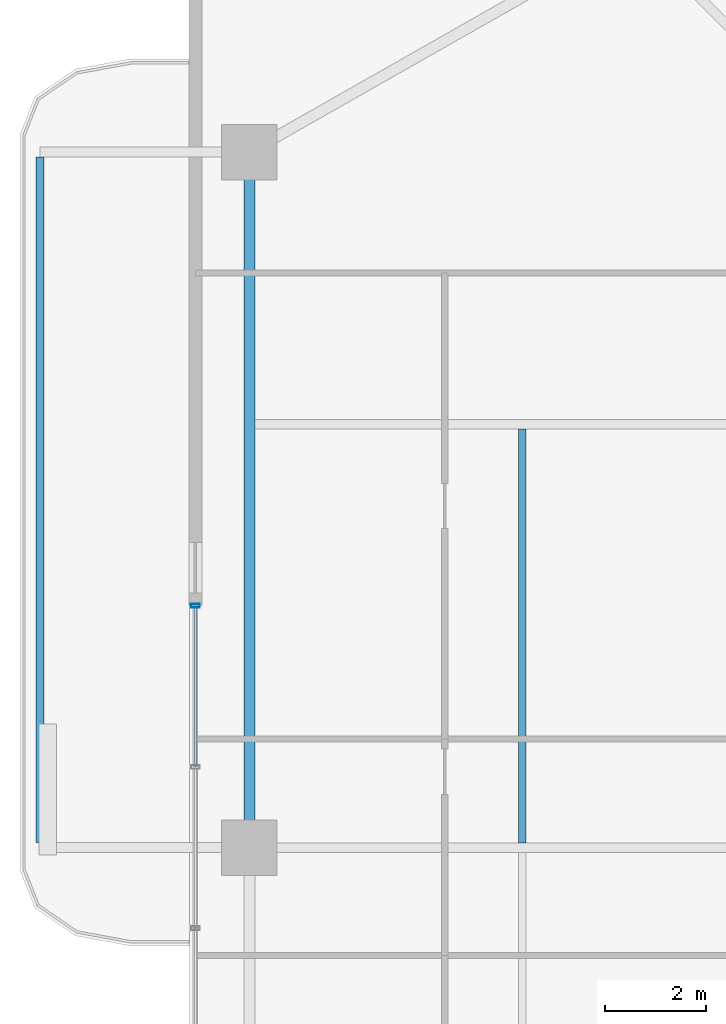
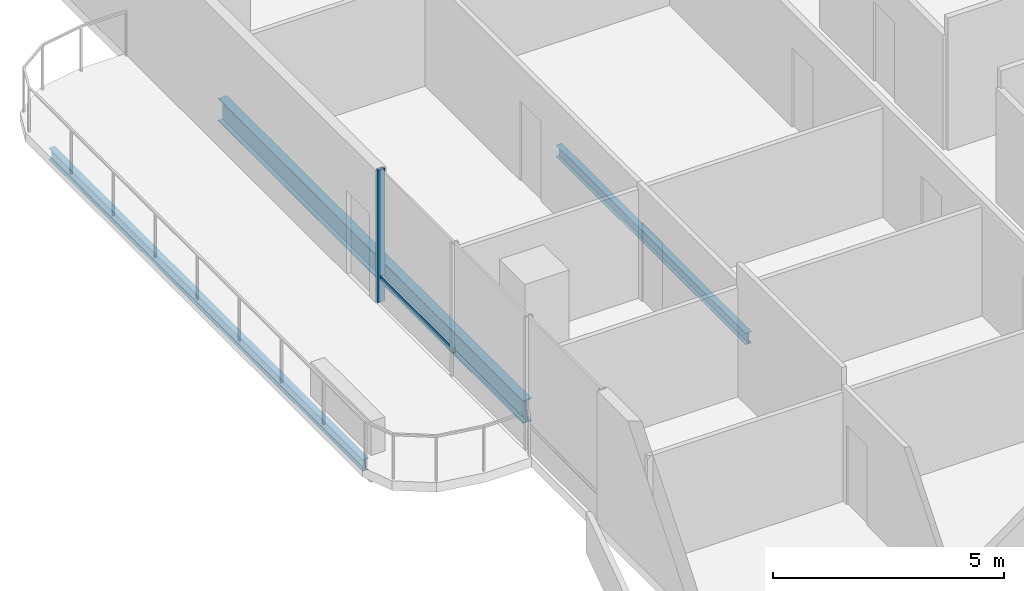
# One storey, part 9 of 23: 3 beams, 2 members, 1 element without a shape of its own.
"""IFC4 building model written with IfcOpenShell, lengths in metres."""

from ifc_helpers import new_model, si_unit, direction, frame, origin, origin_2d, place, context, subcontext, project, spatial, hollow_rectangle, i_section, extrude, material, layer, layer_set, material_profile, profile_set, type_object, element, aggregate, save


model = new_model("IFC4")

# Units and contexts
model_context = context("Model", 3, precision=1e-05, world=origin(), true_north=direction((0.0, 1.0)))
body_context = subcontext(model_context, "Body", "Model", "MODEL_VIEW")
ifc_project = project(units=[si_unit("LENGTHUNIT", "METRE"), si_unit("AREAUNIT", "SQUARE_METRE"), si_unit("VOLUMEUNIT", "CUBIC_METRE"), si_unit("PLANEANGLEUNIT", "RADIAN"), si_unit("MASSUNIT", "GRAM", prefix="KILO")], contexts=[model_context])

# Site, building, storey
site_placement = place(None, origin())
site = spatial("IfcSite", under=ifc_project, at=site_placement, CompositionType="ELEMENT")
building_placement = place(site_placement, origin())
building = spatial("IfcBuilding", under=site, at=building_placement, Name="Belovzor Exchange Tower", CompositionType="ELEMENT")
storey_placement = place(building_placement, frame((0.0, 0.0, 229.949951171875)))
storey = spatial("IfcBuildingStorey", under=building, at=storey_placement, Name="L57", CompositionType="ELEMENT", Elevation=229.949951171875)

# Beams
ifc_material_1 = material(Name="Steel S355", Category="steel")
ifc_material_profile_1 = material_profile(ifc_material_1, i_section(OverallWidth=0.14990234375, OverallDepth=0.300048828125, WebThickness=0.007080078125, FlangeThickness=0.0107421875, at=origin_2d()))
ifc_profile_set_1 = profile_set([ifc_material_profile_1], Name="Steel S355")
beam_type_1 = type_object("IfcBeamType", Name="Planted Balcony Fascia Edge Beam IPE 300", PredefinedType="BEAM", material=ifc_profile_set_1)
beam_1_placement = place(storey_placement, frame((-1.153076171875, 42.5, -0.39990234375), z_axis=(0.0, -1.0, 0.0), x_axis=(1.0, 0.0, 0.0)))
element("IfcBeam", 1, at=beam_1_placement, inside=storey, type_object=beam_type_1, Name="BC-300 Planted Balcony Fascia Edge Beam IPE 300", PredefinedType="BEAM", context=body_context, shape_type="SweptSolid", body=[
    extrude(i_section(OverallWidth=0.14990234375, OverallDepth=0.300048828125, WebThickness=0.007080078125, FlangeThickness=0.0107421875, at=origin_2d()), origin(), (0.0, 0.0, 1.0), 13.60009765625),
])
ifc_material_2 = material(Name="Steel S355", Category="steel")
ifc_material_profile_2 = material_profile(ifc_material_2, i_section(OverallWidth=0.14990234375, OverallDepth=0.300048828125, WebThickness=0.007080078125, FlangeThickness=0.0107421875, at=origin_2d()))
ifc_profile_set_2 = profile_set([ifc_material_profile_2], Name="Steel S355")
beam_type_2 = type_object("IfcBeamType", Name="Secondary Trim Floor Joist IPE 300", PredefinedType="BEAM", material=ifc_profile_set_2)
beam_2_placement = place(storey_placement, frame((8.4130859375, 28.89501953125, -0.39990234375), z_axis=(0.0, 1.0, 0.0), x_axis=(-1.0, 0.0, 0.0)))
element("IfcBeam", 2, at=beam_2_placement, inside=storey, type_object=beam_type_2, Name="FJ-300 Secondary Trim Floor Joist IPE 300", PredefinedType="BEAM", context=body_context, shape_type="SweptSolid", body=[
    extrude(i_section(OverallWidth=0.14990234375, OverallDepth=0.300048828125, WebThickness=0.007080078125, FlangeThickness=0.0107421875, at=origin_2d()), origin(), (0.0, 0.0, 1.0), 8.2099609375),
])

# Curtain wall, members
ifc_material_3 = material(Name="Anodised Aluminium Framing", Category="aluminium")
ifc_layer = layer(ifc_material_3, 0.179931640625)
ifc_layer_set = layer_set([ifc_layer], Name="Anodised Aluminium Framing")
curtain_wall_type = type_object("IfcCurtainWallType", Name="Recessed Loggia Low-Iron Triple-Glazed Curtain Wall", PredefinedType="NOTDEFINED", material=ifc_layer_set)
curtain_wall_placement = place(storey_placement, origin())
curtain_wall = element("IfcCurtainWall", 3, at=curtain_wall_placement, inside=storey, type_object=curtain_wall_type, Name="CW3 Recessed Loggia Low-Iron Triple-Glazed Curtain Wall L57", PredefinedType="NOTDEFINED")
ifc_material_4 = material(Name="Steel S355", Category="steel")
ifc_material_profile_3 = material_profile(ifc_material_4, hollow_rectangle(XDim=0.074951171875, YDim=0.179931640625, WallThickness=0.0048828125, at=origin_2d()))
ifc_profile_set_3 = profile_set([ifc_material_profile_3], Name="Steel S355")
member_type_1 = type_object("IfcMemberType", Name="Thermally Broken Curtain Wall Mullion 180x75", PredefinedType="MULLION", material=ifc_profile_set_3)
member_1_placement = place(storey_placement, frame((1.929931640625, 33.60009765625, 0.0), z_axis=(0.0, 0.0, 1.0), x_axis=(0.0, 1.0, 0.0)))
member_1 = element("IfcMember", 4, at=member_1_placement, type_object=member_type_1, Name="CW-M180 Curtain Wall Mullion 4", PredefinedType="MULLION", context=body_context, shape_type="SweptSolid", body=[
    extrude(hollow_rectangle(XDim=0.074951171875, YDim=0.179931640625, WallThickness=0.0048828125, at=origin_2d()), origin(), (0.0, 0.0, 1.0), 3.5),
])
ifc_material_5 = material(Name="Steel S355", Category="steel")
ifc_material_profile_4 = material_profile(ifc_material_5, hollow_rectangle(XDim=0.06005859375, YDim=0.14990234375, WallThickness=0.00390625, at=origin_2d()))
ifc_profile_set_4 = profile_set([ifc_material_profile_4], Name="Steel S355")
member_type_2 = type_object("IfcMemberType", Name="Thermally Broken Curtain Wall Transom 150x60", PredefinedType="USERDEFINED", material=ifc_profile_set_4)
member_2_placement = place(storey_placement, frame((1.929931640625, 30.407958984375, 0.630126953125), z_axis=(0.0, 1.0, 0.0), x_axis=(-1.0, 0.0, 0.0)))
member_2 = element("IfcMember", 5, at=member_2_placement, type_object=member_type_2, Name="CW-T150 Curtain Wall Transom 3", ObjectType="TRANSOM", PredefinedType="USERDEFINED", context=body_context, shape_type="SweptSolid", body=[
    extrude(hollow_rectangle(XDim=0.06005859375, YDim=0.14990234375, WallThickness=0.00390625, at=origin_2d()), origin(), (0.0, 0.0, 1.0), 3.18408203125),
])
aggregate(curtain_wall, [member_1, member_2])

# Beam
ifc_material_6 = material(Name="Steel S355", Category="steel")
ifc_material_profile_5 = material_profile(ifc_material_6, i_section(OverallWidth=0.219970703125, OverallDepth=0.60009765625, WebThickness=0.011962890625, FlangeThickness=0.01904296875, at=origin_2d()))
ifc_profile_set_5 = profile_set([ifc_material_profile_5], Name="Steel S355")
beam_type_3 = type_object("IfcBeamType", Name="Zone 4 Flare Primary Girder IPE 600", PredefinedType="BEAM", material=ifc_profile_set_5)
beam_3_placement = place(storey_placement, frame((3.0, 42.297119140625, -0.550048828125), z_axis=(0.0, -1.0, 0.0), x_axis=(1.0, 0.0, 0.0)))
element("IfcBeam", 6, at=beam_3_placement, inside=storey, type_object=beam_type_3, Name="FG-Z4 Zone 4 Flare Primary Girder IPE 600", PredefinedType="BEAM", context=body_context, shape_type="SweptSolid", body=[
    extrude(i_section(OverallWidth=0.219970703125, OverallDepth=0.60009765625, WebThickness=0.011962890625, FlangeThickness=0.01904296875, at=origin_2d()), origin(), (0.0, 0.0, 1.0), 13.195068359375),
])

save(model, "model.ifc")
